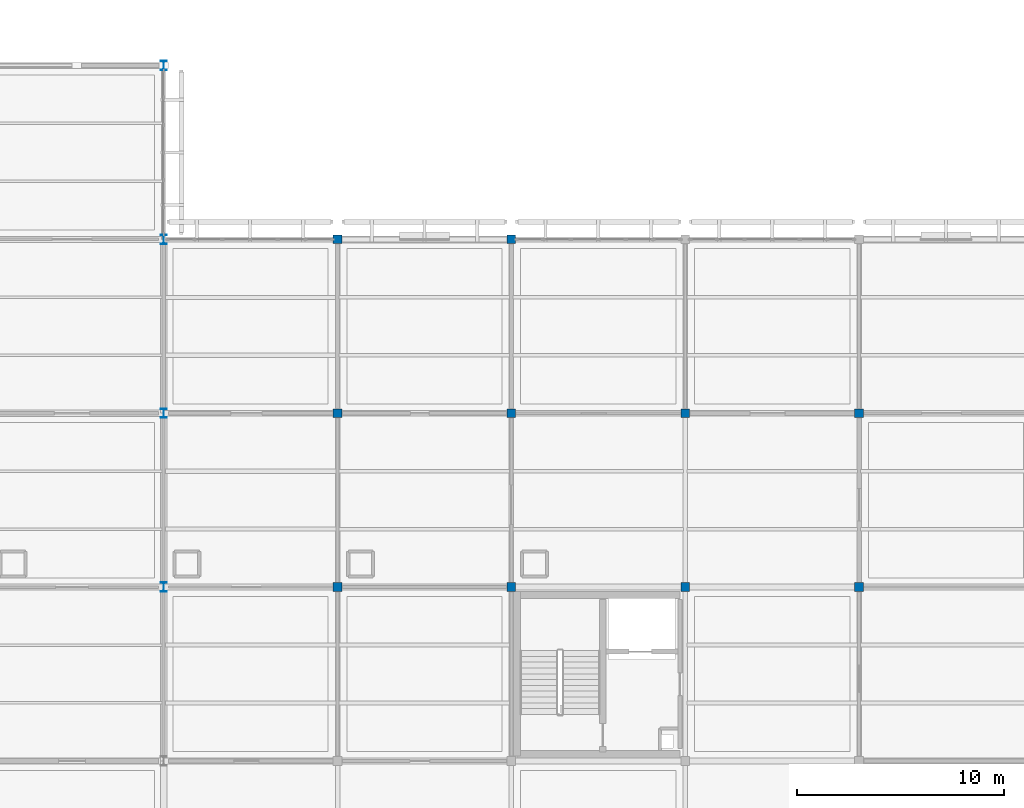
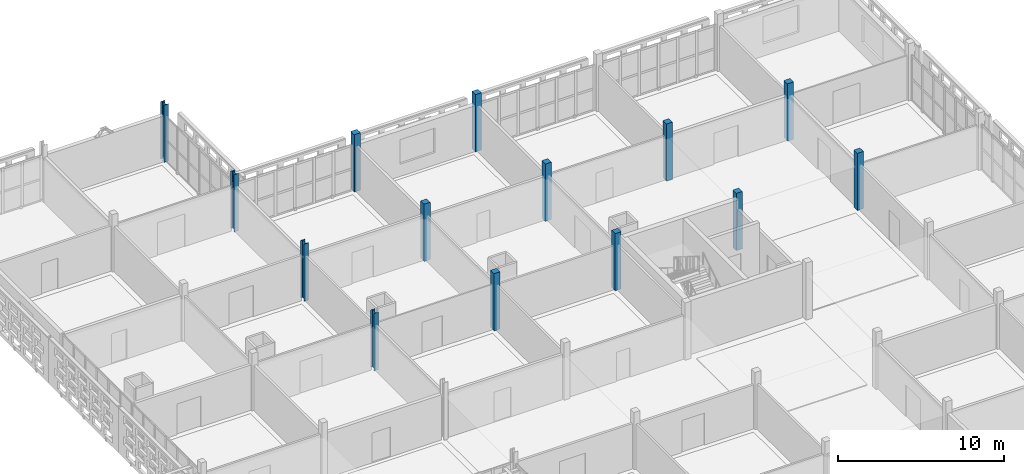
# One storey, part 14 of 166: 14 columns.
"""IFC4 building model written with IfcOpenShell, lengths in metres."""

from ifc_helpers import new_model, si_unit, direction, frame, origin, origin_2d, place, context, subcontext, project, spatial, rectangle, i_section, extrude, material, material_profile, profile_set, type_object, element, save


model = new_model("IFC4")

# Units and contexts
model_context = context("Model", 3, precision=1e-05, world=origin(), true_north=direction((0.0, 1.0)))
body_context = subcontext(model_context, "Body", "Model", "MODEL_VIEW")
ifc_project = project(units=[si_unit("LENGTHUNIT", "METRE"), si_unit("AREAUNIT", "SQUARE_METRE"), si_unit("VOLUMEUNIT", "CUBIC_METRE"), si_unit("PLANEANGLEUNIT", "RADIAN"), si_unit("MASSUNIT", "GRAM", prefix="KILO")], contexts=[model_context])

# Site, building, storey
site_placement = place(None, origin())
site = spatial("IfcSite", under=ifc_project, at=site_placement, CompositionType="ELEMENT")
building_placement = place(site_placement, origin())
building = spatial("IfcBuilding", under=site, at=building_placement, Name="Varnapada Polytechnic", CompositionType="ELEMENT")
storey_placement = place(building_placement, frame((0.0, 0.0, 9.60009765625)))
storey = spatial("IfcBuildingStorey", under=building, at=storey_placement, Name="L02", CompositionType="ELEMENT", Elevation=9.60009765625)

# Columns
ifc_material_1 = material(Name="Steel S355", Category="steel")
ifc_material_profile_1 = material_profile(ifc_material_1, i_section(OverallWidth=0.300048828125, OverallDepth=0.449951171875, WebThickness=0.013916015625, FlangeThickness=0.02587890625, FilletRadius=0.027099609375, at=origin_2d()), Name="HEB 450")
ifc_profile_set_1 = profile_set([ifc_material_profile_1], Name="Steel S355")
column_type_1 = type_object("IfcColumnType", Name="Column C-07 (HEB 450)", PredefinedType="COLUMN", material=ifc_profile_set_1)
for number, where, z_axis, x_axis, name in (
    (1, (134.39990234375, 100.800048828125, 0.0), (0.0, 0.0, 1.0), (1.0, 0.0, 0.0), "L02 column 17/13"),
    (2, (134.39990234375, 109.199951171875, 0.0), (0.0, 0.0, 1.0), (1.0, 0.0, 0.0), "L02 column 17/14"),
    (3, (134.39990234375, 117.60009765625, 0.0), (0.0, 0.0, 1.0), (1.0, 0.0, 0.0), "L02 column 17/15"),
):
    element("IfcColumn", number, at=place(storey_placement, frame(where, z_axis=z_axis, x_axis=x_axis)), inside=storey, type_object=column_type_1, Name=name, PredefinedType="COLUMN", context=body_context, shape_type="SweptSolid", body=[
        extrude(i_section(OverallWidth=0.300048828125, OverallDepth=0.449951171875, WebThickness=0.013916015625, FlangeThickness=0.02587890625, FilletRadius=0.027099609375, at=origin_2d()), origin(), (0.0, 0.0, 1.0), 4.199951171875),
    ])
ifc_material_2 = material(Name="Glulam GL32h", Category="wood")
ifc_material_profile_2 = material_profile(ifc_material_2, rectangle(XDim=0.419921875, YDim=0.419921875, at=origin_2d()), Name="GL 420x420")
ifc_profile_set_2 = profile_set([ifc_material_profile_2], Name="Glulam GL32h")
column_type_2 = type_object("IfcColumnType", Name="Column C-23 (GL 420x420)", PredefinedType="COLUMN", material=ifc_profile_set_2)
for number, where, z_axis, x_axis, name in (
    (4, (142.800048828125, 100.800048828125, 0.0), (0.0, 0.0, 1.0), (1.0, 0.0, 0.0), "L02 column 18/13"),
    (5, (142.800048828125, 109.199951171875, 0.0), (0.0, 0.0, 1.0), (1.0, 0.0, 0.0), "L02 column 18/14"),
    (6, (142.800048828125, 117.60009765625, 0.0), (0.0, 0.0, 1.0), (1.0, 0.0, 0.0), "L02 column 18/15"),
    (7, (151.199951171875, 100.800048828125, 0.0), (0.0, 0.0, 1.0), (1.0, 0.0, 0.0), "L02 column 19/13"),
    (8, (151.199951171875, 109.199951171875, 0.0), (0.0, 0.0, 1.0), (1.0, 0.0, 0.0), "L02 column 19/14"),
    (9, (151.199951171875, 117.60009765625, 0.0), (0.0, 0.0, 1.0), (1.0, 0.0, 0.0), "L02 column 19/15"),
    (10, (159.60009765625, 100.800048828125, 0.0), (0.0, 0.0, 1.0), (1.0, 0.0, 0.0), "L02 column 20/13"),
    (11, (159.60009765625, 109.199951171875, 0.0), (0.0, 0.0, 1.0), (1.0, 0.0, 0.0), "L02 column 20/14"),
    (12, (168.0, 100.800048828125, 0.0), (0.0, 0.0, 1.0), (1.0, 0.0, 0.0), "L02 column 21/13"),
    (13, (168.0, 109.199951171875, 0.0), (0.0, 0.0, 1.0), (1.0, 0.0, 0.0), "L02 column 21/14"),
):
    element("IfcColumn", number, at=place(storey_placement, frame(where, z_axis=z_axis, x_axis=x_axis)), inside=storey, type_object=column_type_2, Name=name, PredefinedType="COLUMN", context=body_context, shape_type="SweptSolid", body=[
        extrude(rectangle(XDim=0.419921875, YDim=0.419921875, at=origin_2d()), origin(), (0.0, 0.0, 1.0), 4.199951171875),
    ])
ifc_material_profile_3 = material_profile(ifc_material_1, i_section(OverallWidth=0.300048828125, OverallDepth=0.43994140625, WebThickness=0.011474609375, FlangeThickness=0.02099609375, FilletRadius=0.027099609375, at=origin_2d()), Name="HEA 450")
ifc_profile_set_3 = profile_set([ifc_material_profile_3], Name="Steel S355")
column_type_3 = type_object("IfcColumnType", Name="Column C-30 (HEA 450)", PredefinedType="COLUMN", material=ifc_profile_set_3)
column_placement = place(storey_placement, frame((134.39990234375, 126.0, 0.0), z_axis=(0.0, 0.0, 1.0), x_axis=(1.0, 0.0, 0.0)))
element("IfcColumn", 14, at=column_placement, inside=storey, type_object=column_type_3, Name="L02 column 17/16", PredefinedType="COLUMN", context=body_context, shape_type="SweptSolid", body=[
    extrude(i_section(OverallWidth=0.300048828125, OverallDepth=0.43994140625, WebThickness=0.011474609375, FlangeThickness=0.02099609375, FilletRadius=0.027099609375, at=origin_2d()), origin(), (0.0, 0.0, 1.0), 4.199951171875),
])

save(model, "model.ifc")
